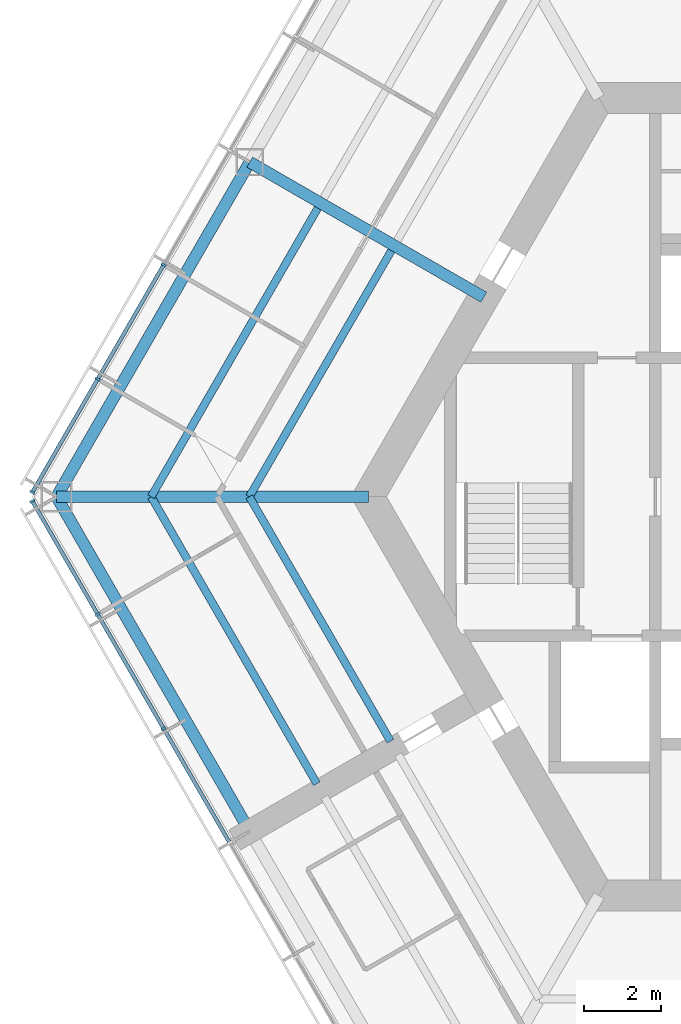
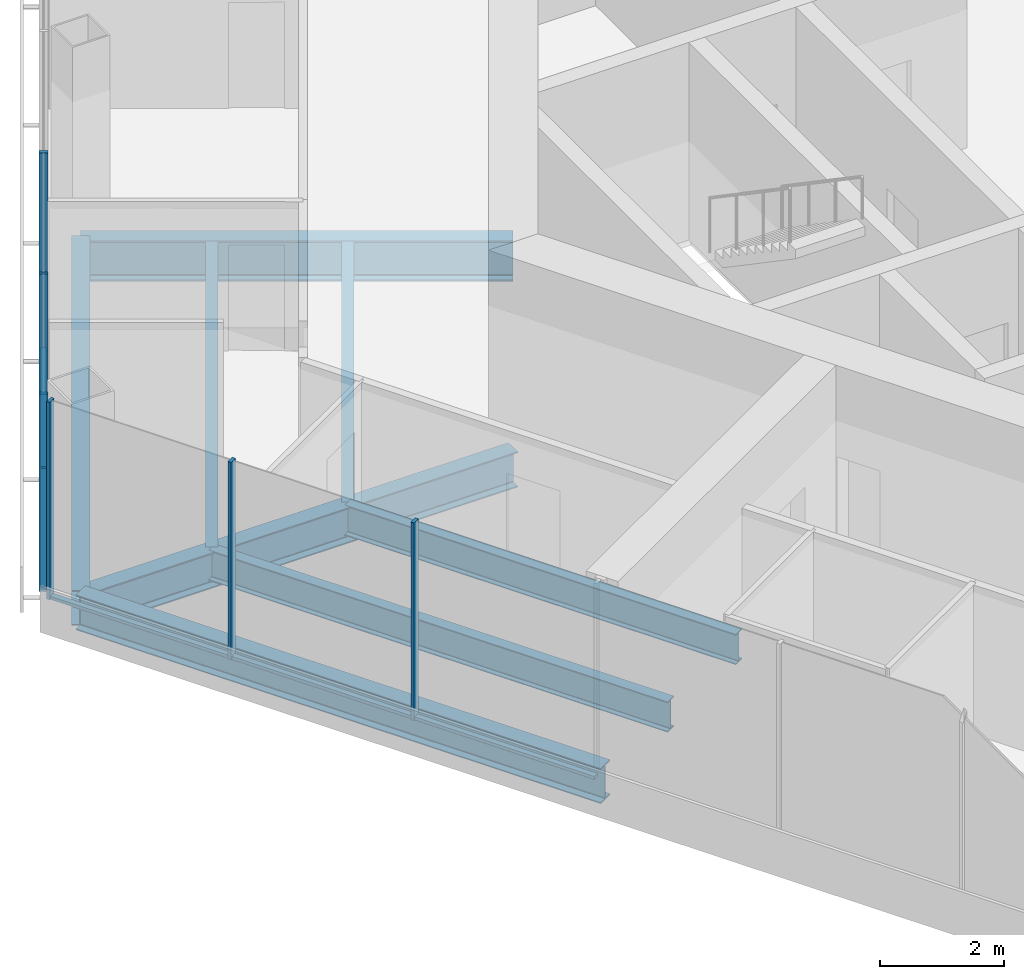
# One storey, part 3 of 16: 11 members, 8 beams, 2 elements without a shape of their own.
"""IFC4 building model written with IfcOpenShell, lengths in metres."""

from ifc_helpers import new_model, si_unit, direction, frame, origin, origin_2d, place, context, subcontext, project, spatial, rectangle, i_section, extrude, material, material_profile, profile_set, type_object, element, aggregate, save


model = new_model("IFC4")

# Units and contexts
model_context = context("Model", 3, precision=1e-05, world=origin(), true_north=direction((0.0, 1.0)))
body_context = subcontext(model_context, "Body", "Model", "MODEL_VIEW")
ifc_project = project(units=[si_unit("LENGTHUNIT", "METRE"), si_unit("AREAUNIT", "SQUARE_METRE"), si_unit("VOLUMEUNIT", "CUBIC_METRE"), si_unit("PLANEANGLEUNIT", "RADIAN"), si_unit("MASSUNIT", "GRAM", prefix="KILO")], contexts=[model_context])

# Site, building, storey
site_placement = place(None, origin())
site = spatial("IfcSite", under=ifc_project, at=site_placement, CompositionType="ELEMENT")
building_placement = place(site_placement, origin())
building = spatial("IfcBuilding", under=site, at=building_placement, Name="Kasaneha Research Tower", CompositionType="ELEMENT")
storey_placement = place(building_placement, frame((0.0, 0.0, 255.699951171875)))
storey = spatial("IfcBuildingStorey", under=building, at=storey_placement, Name="L64", CompositionType="ELEMENT", Elevation=255.699951171875)

# Beams
ifc_material_1 = material(Name="Steel SN490B", Category="steel")
ifc_material_profile_1 = material_profile(ifc_material_1, i_section(OverallWidth=0.199951171875, OverallDepth=0.60009765625, WebThickness=0.010986328125, FlangeThickness=0.01708984375, FilletRadius=0.012939453125, at=origin_2d()), Name="H-600x200x11x17")
ifc_profile_set_1 = profile_set([ifc_material_profile_1], Name="Steel SN490B")
beam_type_1 = type_object("IfcBeamType", Name="B1-3 secondary beam H-600x200x11x17", PredefinedType="JOIST", material=ifc_profile_set_1)
beam_1_placement = place(storey_placement, frame((-15.010986328125, 0.0, -0.449951171875), z_axis=(0.499994443168, 0.866028611999, 0.0), x_axis=(-0.866028611999, 0.499994443168, 0.0)))
element("IfcBeam", 1, at=beam_1_placement, inside=storey, type_object=beam_type_1, Name="Secondary beam RS150R1 L64", PredefinedType="JOIST", context=body_context, shape_type="SweptSolid", body=[
    extrude(i_section(OverallWidth=0.199951171875, OverallDepth=0.60009765625, WebThickness=0.010986328125, FlangeThickness=0.01708984375, FilletRadius=0.012939453125, at=origin_2d()), origin(), (0.0, 0.0, 1.0), 7.35546875),
])
beam_2_placement = place(storey_placement, frame((-17.551513671875, 0.0, -0.449951171875), z_axis=(0.5000050195, 0.866022505755, 0.0), x_axis=(-0.866022505755, 0.5000050195, 0.0)))
element("IfcBeam", 2, at=beam_2_placement, inside=storey, type_object=beam_type_1, Name="Secondary beam RS150R2 L64", PredefinedType="JOIST", context=body_context, shape_type="SweptSolid", body=[
    extrude(i_section(OverallWidth=0.199951171875, OverallDepth=0.60009765625, WebThickness=0.010986328125, FlangeThickness=0.01708984375, FilletRadius=0.012939453125, at=origin_2d()), origin(), (0.0, 0.0, 1.0), 8.6259765625),
])
beam_3_placement = place(storey_placement, frame((-15.010986328125, 0.0, -0.449951171875), z_axis=(0.499974128195, -0.866040340363, 0.0), x_axis=(0.866040340363, 0.499974128195, 0.0)))
element("IfcBeam", 3, at=beam_3_placement, inside=storey, type_object=beam_type_1, Name="Secondary beam RS210L1 L64", PredefinedType="JOIST", context=body_context, shape_type="SweptSolid", body=[
    extrude(i_section(OverallWidth=0.199951171875, OverallDepth=0.60009765625, WebThickness=0.010986328125, FlangeThickness=0.01708984375, FilletRadius=0.012939453125, at=origin_2d()), origin(), (0.0, 0.0, 1.0), 7.3056640625),
])
beam_4_placement = place(storey_placement, frame((-17.551513671875, 0.0, -0.449951171875), z_axis=(0.500000102728, -0.866025344474, 0.0), x_axis=(0.866025344474, 0.500000102728, 0.0)))
element("IfcBeam", 4, at=beam_4_placement, inside=storey, type_object=beam_type_1, Name="Secondary beam RS210L2 L64", PredefinedType="JOIST", context=body_context, shape_type="SweptSolid", body=[
    extrude(i_section(OverallWidth=0.199951171875, OverallDepth=0.60009765625, WebThickness=0.010986328125, FlangeThickness=0.01708984375, FilletRadius=0.012939453125, at=origin_2d()), origin(), (0.0, 0.0, 1.0), 8.57568359375),
])

# Curtain wall, members
ifc_material_2 = material(Name="Glass and aluminium", Category="aluminium")
curtain_wall_type = type_object("IfcCurtainWallType", Name="High-rise office curtain wall", PredefinedType="USERDEFINED", material=ifc_material_2)
curtain_wall_1_placement = place(storey_placement, origin())
curtain_wall_1 = element("IfcCurtainWall", 5, at=curtain_wall_1_placement, inside=storey, type_object=curtain_wall_type, Name="CW-O3 L64 run 03a", ObjectType="UNITISED CURTAIN WALL", PredefinedType="USERDEFINED")
ifc_material_3 = material(Name="Aluminium 6063-T6", Category="aluminium")
ifc_material_profile_2 = material_profile(ifc_material_3, rectangle(XDim=0.06005859375, YDim=0.139892578125, at=origin_2d()), Name="CW-O3 mullion 60x140")
ifc_profile_set_2 = profile_set([ifc_material_profile_2], Name="Aluminium 6063-T6")
member_type_1 = type_object("IfcMemberType", Name="CW-O3 mullion", PredefinedType="MULLION", material=ifc_profile_set_2)
member_1_placement = place(storey_placement, frame((-17.227294921875, 6.00244140625, 0.0), z_axis=(0.0, 0.0, 1.0), x_axis=(-0.499999995722, -0.866025406254, 0.0)))
member_1 = element("IfcMember", 6, at=member_1_placement, type_object=member_type_1, Name="CW-O3 mullion 5", PredefinedType="MULLION", context=body_context, shape_type="SweptSolid", body=[
    extrude(rectangle(XDim=0.06005859375, YDim=0.139892578125, at=origin_2d()), origin(), (0.0, 0.0, 1.0), 3.900146484375),
])
member_2_placement = place(storey_placement, frame((-18.93505859375, 3.04443359375, 0.0), z_axis=(0.0, 0.0, 1.0), x_axis=(-0.499999995722, -0.866025406254, 0.0)))
member_2 = element("IfcMember", 7, at=member_2_placement, type_object=member_type_1, Name="CW-O3 mullion 6", PredefinedType="MULLION", context=body_context, shape_type="SweptSolid", body=[
    extrude(rectangle(XDim=0.06005859375, YDim=0.139892578125, at=origin_2d()), origin(), (0.0, 0.0, 1.0), 3.900146484375),
])
member_3_placement = place(storey_placement, frame((-20.6279296875, 0.112548828125, 0.0), z_axis=(0.0, 0.0, 1.0), x_axis=(-0.499999995722, -0.866025406254, 0.0)))
member_3 = element("IfcMember", 8, at=member_3_placement, type_object=member_type_1, Name="CW-O3 mullion 7", PredefinedType="MULLION", context=body_context, shape_type="SweptSolid", body=[
    extrude(rectangle(XDim=0.06005859375, YDim=0.139892578125, at=origin_2d()), origin(), (0.0, 0.0, 1.0), 3.900146484375),
])

curtain_wall_2_placement = place(storey_placement, origin())
curtain_wall_2 = element("IfcCurtainWall", 9, at=curtain_wall_2_placement, inside=storey, type_object=curtain_wall_type, Name="CW-O3 L64 run 04a", ObjectType="UNITISED CURTAIN WALL", PredefinedType="USERDEFINED")
member_4_placement = place(storey_placement, frame((-20.6279296875, -0.112548828125, 0.0), z_axis=(0.0, 0.0, 1.0), x_axis=(0.499999995722, -0.866025406254, 0.0)))
member_4 = element("IfcMember", 10, at=member_4_placement, type_object=member_type_1, Name="CW-O3 mullion 1", PredefinedType="MULLION", context=body_context, shape_type="SweptSolid", body=[
    extrude(rectangle(XDim=0.06005859375, YDim=0.139892578125, at=origin_2d()), origin(), (0.0, 0.0, 1.0), 3.900146484375),
])
member_5_placement = place(storey_placement, frame((-18.93505859375, -3.04443359375, 0.0), z_axis=(0.0, 0.0, 1.0), x_axis=(0.499999995722, -0.866025406254, 0.0)))
member_5 = element("IfcMember", 11, at=member_5_placement, type_object=member_type_1, Name="CW-O3 mullion 2", PredefinedType="MULLION", context=body_context, shape_type="SweptSolid", body=[
    extrude(rectangle(XDim=0.06005859375, YDim=0.139892578125, at=origin_2d()), origin(), (0.0, 0.0, 1.0), 3.900146484375),
])
member_6_placement = place(storey_placement, frame((-17.227294921875, -6.00244140625, 0.0), z_axis=(0.0, 0.0, 1.0), x_axis=(0.499999995722, -0.866025406254, 0.0)))
member_6 = element("IfcMember", 12, at=member_6_placement, type_object=member_type_1, Name="CW-O3 mullion 3", PredefinedType="MULLION", context=body_context, shape_type="SweptSolid", body=[
    extrude(rectangle(XDim=0.06005859375, YDim=0.139892578125, at=origin_2d()), origin(), (0.0, 0.0, 1.0), 3.900146484375),
])

# Member
ifc_material_4 = material(Name="Aluminium 6063-T6", Category="aluminium")
ifc_material_profile_3 = material_profile(ifc_material_4, rectangle(XDim=0.10009765625, YDim=0.06005859375, at=origin_2d()), Name="CW-O3 transom 100x60")
ifc_profile_set_3 = profile_set([ifc_material_profile_3], Name="Aluminium 6063-T6")
member_type_2 = type_object("IfcMemberType", Name="CW-O3 transom", PredefinedType="USERDEFINED", material=ifc_profile_set_3)
member_7_placement = place(storey_placement, frame((-17.242431640625, 5.976318359375, 0.030029296875), z_axis=(-0.500020578564, -0.866013522419, 0.0), x_axis=(0.866013522419, -0.500020578564, 0.0)))
member_7 = element("IfcMember", 13, at=member_7_placement, type_object=member_type_2, Name="CW-O3 transom 5", ObjectType="TRANSOM", PredefinedType="USERDEFINED", context=body_context, shape_type="SweptSolid", body=[
    extrude(rectangle(XDim=0.10009765625, YDim=0.06005859375, at=origin_2d()), origin(), (0.0, 0.0, 1.0), 3.355224609375),
])

member_8_placement = place(storey_placement, frame((-18.9501953125, 3.0185546875, 0.030029296875), z_axis=(-0.49997666526, -0.866038875684, 0.0), x_axis=(0.866038875684, -0.49997666526, 0.0)))
member_8 = element("IfcMember", 14, at=member_8_placement, type_object=member_type_2, Name="CW-O3 transom 6", ObjectType="TRANSOM", PredefinedType="USERDEFINED", context=body_context, shape_type="SweptSolid", body=[
    extrude(rectangle(XDim=0.10009765625, YDim=0.06005859375, at=origin_2d()), origin(), (0.0, 0.0, 1.0), 3.325439453125),
])

aggregate(curtain_wall_1, [member_1, member_2, member_3, member_7, member_8])

member_9_placement = place(storey_placement, frame((-20.61279296875, -0.138671875, 0.030029296875), z_axis=(0.49997666526, -0.866038875684, 0.0), x_axis=(0.866038875684, 0.49997666526, 0.0)))
member_9 = element("IfcMember", 15, at=member_9_placement, type_object=member_type_2, Name="CW-O3 transom 1", ObjectType="TRANSOM", PredefinedType="USERDEFINED", context=body_context, shape_type="SweptSolid", body=[
    extrude(rectangle(XDim=0.10009765625, YDim=0.06005859375, at=origin_2d()), origin(), (0.0, 0.0, 1.0), 3.325439453125),
])

member_10_placement = place(storey_placement, frame((-18.920166015625, -3.070556640625, 0.030029296875), z_axis=(0.500020578564, -0.866013522419, 0.0), x_axis=(0.866013522419, 0.500020578564, 0.0)))
member_10 = element("IfcMember", 16, at=member_10_placement, type_object=member_type_2, Name="CW-O3 transom 2", ObjectType="TRANSOM", PredefinedType="USERDEFINED", context=body_context, shape_type="SweptSolid", body=[
    extrude(rectangle(XDim=0.10009765625, YDim=0.06005859375, at=origin_2d()), origin(), (0.0, 0.0, 1.0), 3.355224609375),
])

member_11_placement = place(storey_placement, frame((-17.21240234375, -6.0283203125, 0.030029296875), z_axis=(0.499989072476, -0.866031712701, 0.0), x_axis=(0.866031712701, 0.499989072476, 0.0)))
member_11 = element("IfcMember", 17, at=member_11_placement, type_object=member_type_2, Name="CW-O3 transom 3", ObjectType="TRANSOM", PredefinedType="USERDEFINED", context=body_context, shape_type="SweptSolid", body=[
    extrude(rectangle(XDim=0.10009765625, YDim=0.06005859375, at=origin_2d()), origin(), (0.0, 0.0, 1.0), 3.35546875),
])

aggregate(curtain_wall_2, [member_4, member_5, member_6, member_9, member_10, member_11])

# Beams
ifc_material_5 = material(Name="Steel SN490B", Category="steel")
ifc_material_profile_4 = material_profile(ifc_material_5, i_section(OverallWidth=0.300048828125, OverallDepth=0.699951171875, WebThickness=0.012939453125, FlangeThickness=0.02392578125, FilletRadius=0.01806640625, at=origin_2d()), Name="H-700x300x13x24")
ifc_profile_set_4 = profile_set([ifc_material_profile_4], Name="Steel SN490B")
beam_type_2 = type_object("IfcBeamType", Name="G1-3 radial girder H-700x300x13x24", PredefinedType="BEAM", material=ifc_profile_set_4)
beam_5_placement = place(storey_placement, frame((-11.92236328125, 0.0, -0.5), z_axis=(-1.0, 0.0, 0.0), x_axis=(0.0, -1.0, 0.0)))
element("IfcBeam", 18, at=beam_5_placement, inside=storey, type_object=beam_type_2, Name="Radial girder RV180 L64", PredefinedType="BEAM", context=body_context, shape_type="SweptSolid", body=[
    extrude(i_section(OverallWidth=0.300048828125, OverallDepth=0.699951171875, WebThickness=0.012939453125, FlangeThickness=0.02392578125, FilletRadius=0.01806640625, at=origin_2d()), origin(), (0.0, 0.0, 1.0), 8.07763671875),
])
ifc_material_6 = material(Name="Steel SN490B", Category="steel")
ifc_material_profile_5 = material_profile(ifc_material_6, i_section(OverallWidth=0.300048828125, OverallDepth=0.800048828125, WebThickness=0.013916015625, FlangeThickness=0.02587890625, FilletRadius=0.01806640625, at=origin_2d()), Name="H-800x300x14x26")
ifc_profile_set_5 = profile_set([ifc_material_profile_5], Name="Steel SN490B")
beam_type_3 = type_object("IfcBeamType", Name="G2-3 radial girder H-800x300x14x26", PredefinedType="BEAM", material=ifc_profile_set_5)
beam_6_placement = place(storey_placement, frame((-8.941650390625, 5.16259765625, -0.550048828125), z_axis=(-0.866039713508, 0.499975214012, 0.0), x_axis=(-0.499975214012, -0.866039713508, 0.0)))
element("IfcBeam", 19, at=beam_6_placement, inside=storey, type_object=beam_type_3, Name="Radial girder RM150 L64", PredefinedType="BEAM", context=body_context, shape_type="SweptSolid", body=[
    extrude(i_section(OverallWidth=0.300048828125, OverallDepth=0.800048828125, WebThickness=0.013916015625, FlangeThickness=0.02587890625, FilletRadius=0.01806640625, at=origin_2d()), origin(), (0.0, 0.0, 1.0), 6.995361328125),
])
ifc_material_7 = material(Name="Steel SN490B", Category="steel")
ifc_material_profile_6 = material_profile(ifc_material_7, i_section(OverallWidth=0.300048828125, OverallDepth=0.69189453125, WebThickness=0.012939453125, FlangeThickness=0.02001953125, FilletRadius=0.01806640625, at=origin_2d()), Name="H-692x300x13x20")
ifc_profile_set_6 = profile_set([ifc_material_profile_6], Name="Steel SN490B")
beam_type_4 = type_object("IfcBeamType", Name="G3-3 plate edge girder H-692x300x13x20", PredefinedType="BEAM", material=ifc_profile_set_6)
beam_7_placement = place(storey_placement, frame((-20.0, 0.0, -0.495849609375), z_axis=(0.49999201416, -0.866030014362, 0.0), x_axis=(0.866030014362, 0.49999201416, 0.0)))
element("IfcBeam", 20, at=beam_7_placement, inside=storey, type_object=beam_type_4, Name="Plate edge girder PEBP L64", PredefinedType="BEAM", context=body_context, shape_type="SweptSolid", body=[
    extrude(i_section(OverallWidth=0.300048828125, OverallDepth=0.69189453125, WebThickness=0.012939453125, FlangeThickness=0.02001953125, FilletRadius=0.01806640625, at=origin_2d()), origin(), (0.0, 0.0, 1.0), 9.800048828125),
])
ifc_material_8 = material(Name="Steel SN490B", Category="steel")
ifc_material_profile_7 = material_profile(ifc_material_8, i_section(OverallWidth=0.300048828125, OverallDepth=0.69189453125, WebThickness=0.012939453125, FlangeThickness=0.02001953125, FilletRadius=0.01806640625, at=origin_2d()), Name="H-692x300x13x20")
ifc_profile_set_7 = profile_set([ifc_material_profile_7], Name="Steel SN490B")
beam_type_5 = type_object("IfcBeamType", Name="SB1-3 spandrel beam H-692x300x13x20", PredefinedType="SPANDREL", material=ifc_profile_set_7)
beam_8_placement = place(storey_placement, frame((-20.0, 0.0, -0.495849609375), z_axis=(0.500004234368, 0.866022959057, 0.0), x_axis=(-0.866022959057, 0.500004234368, 0.0)))
element("IfcBeam", 21, at=beam_8_placement, inside=storey, type_object=beam_type_5, Name="Spandrel beam SR150R L64", PredefinedType="SPANDREL", context=body_context, shape_type="SweptSolid", body=[
    extrude(i_section(OverallWidth=0.300048828125, OverallDepth=0.69189453125, WebThickness=0.012939453125, FlangeThickness=0.02001953125, FilletRadius=0.01806640625, at=origin_2d()), origin(), (0.0, 0.0, 1.0), 10.0),
])

save(model, "model.ifc")
